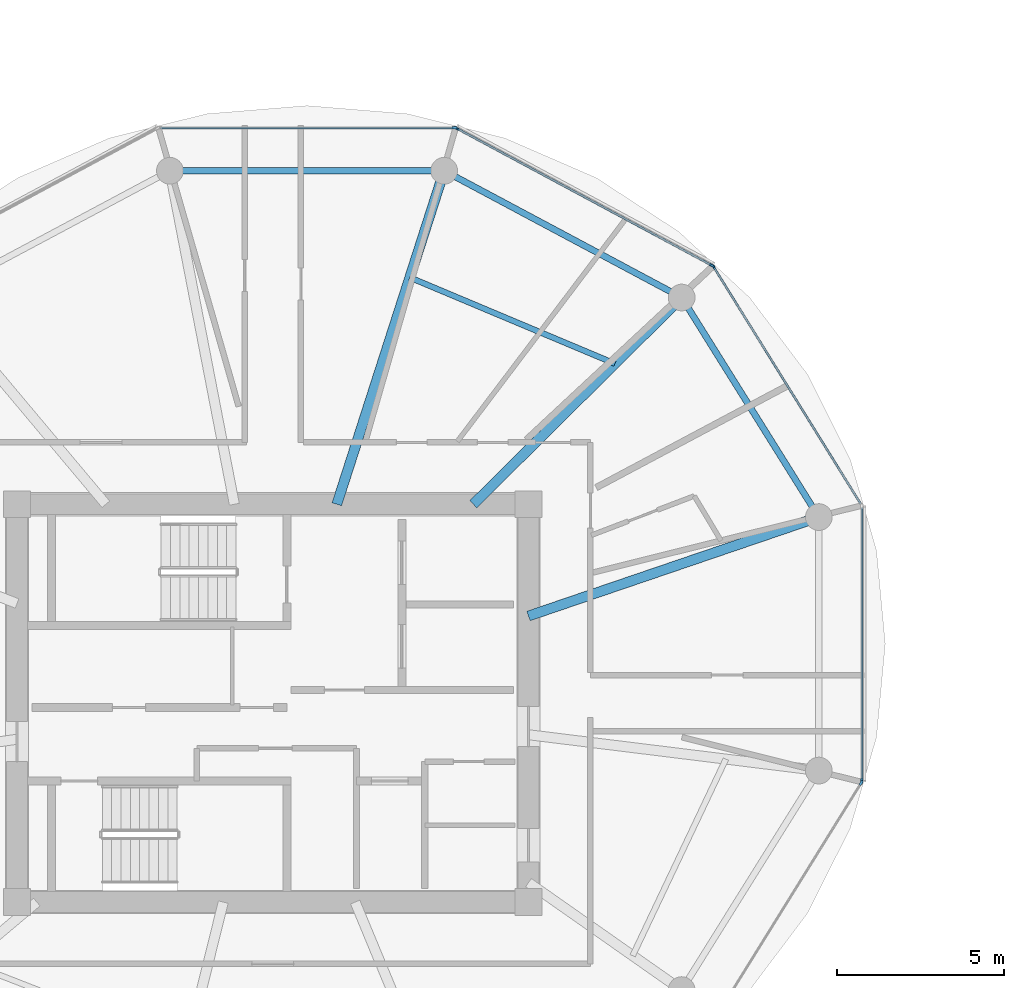
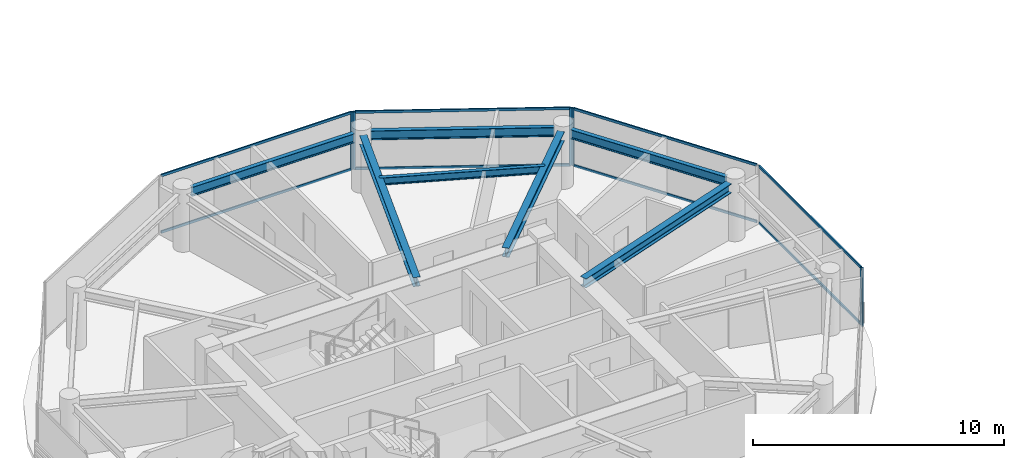
# One storey, part 5 of 22: 14 members, 7 beams, 5 elements without a shape of their own.
"""IFC4 building model written with IfcOpenShell, lengths in metres."""

import ifcopenshell
import ifcopenshell.guid

model = None  # the IFC model being written
_history = None  # IfcOwnerHistory: only IFC2X3 demands one
_inside = {}  # id of a spatial element -> (the spatial element, [elements in it])
_under = {}  # id of a project, library or spatial element -> (it, [spatial elements below it])
_declared = {}  # id of a project -> (the project, [libraries it declares])
_typed = {}  # id of a type object -> (the type object, [elements of that type])
_made_of = {}  # id of a material, layer set ... -> (it, [elements and type objects made of it])


def new_model(schema):
    """Start an empty IFC model of exactly this schema.

    Asked for "IFC4X3", IfcOpenShell would pick the latest addendum, in which some entities
    have other attributes; the version numbers below select the first issue.
    IFC2X3 requires an IfcOwnerHistory on every rooted entity: one is made here for all.
    """
    global model, _history
    if schema == "IFC4X3":
        model = ifcopenshell.file(schema_version=(4, 3, 0, 0))
    else:
        model = ifcopenshell.file(schema=schema)
    _inside.clear()
    _under.clear()
    _declared.clear()
    _typed.clear()
    _made_of.clear()
    _history = None
    if model.schema == "IFC2X3":
        org = make("IfcOrganization", Name="unknown")
        user = make(
            "IfcPersonAndOrganization",
            ThePerson=make("IfcPerson", FamilyName="unknown"),
            TheOrganization=org,
        )
        app = make(
            "IfcApplication",
            ApplicationDeveloper=org,
            Version="unknown",
            ApplicationFullName="unknown",
            ApplicationIdentifier="unknown",
        )
        _history = make(
            "IfcOwnerHistory",
            OwningUser=user,
            OwningApplication=app,
            ChangeAction="ADDED",
            CreationDate=0,
        )
    return model


def make(cls, **values):
    """One entity of the class cls with the attributes given. An attribute that is None is left unset."""
    return model.create_entity(
        cls, **{name: value for name, value in values.items() if value is not None}
    )


def rooted(cls, **values):
    """An entity with a GlobalId (a new one), such as an element, a storey or a relation."""
    return make(cls, GlobalId=ifcopenshell.guid.new(), OwnerHistory=_history, **values)


def si_unit(unit_type, name, prefix=None):
    """IfcSIUnit, for example si_unit("LENGTHUNIT", "METRE", prefix="MILLI")."""
    return make("IfcSIUnit", UnitType=unit_type, Prefix=prefix, Name=name)


def assignment(units):
    """IfcUnitAssignment: the units of a project."""
    return None if units is None else make("IfcUnitAssignment", Units=units)


def point(xyz):
    """IfcCartesianPoint."""
    return None if xyz is None else make("IfcCartesianPoint", Coordinates=xyz)


def direction(xyz):
    """IfcDirection."""
    return None if xyz is None else make("IfcDirection", DirectionRatios=xyz)


def frame(location, z_axis=None, x_axis=None):
    """IfcAxis2Placement3D, a coordinate frame: its origin and axes. An axis left out is left unset."""
    return make(
        "IfcAxis2Placement3D",
        Location=point(location),
        Axis=direction(z_axis),
        RefDirection=direction(x_axis),
    )


def frame_2d(location, x_axis=None):
    """IfcAxis2Placement2D, a coordinate frame in the plane: its origin and x axis."""
    return make(
        "IfcAxis2Placement2D", Location=point(location), RefDirection=direction(x_axis)
    )


def origin():
    """The frame at (0, 0, 0) with its axes left unset."""
    return frame((0.0, 0.0, 0.0))


def origin_2d():
    """The frame at (0, 0) in the plane with its x axis left unset."""
    return frame_2d((0.0, 0.0))


def place(relative_to, where):
    """IfcLocalPlacement: puts the frame where relative to a parent placement (None: the world)."""
    return make(
        "IfcLocalPlacement", PlacementRelTo=relative_to, RelativePlacement=where
    )


def context(
    kind, dimensions, precision=None, world=None, true_north=None, identifier=None
):
    """IfcGeometricRepresentationContext, for example the 3D "Model" context."""
    return make(
        "IfcGeometricRepresentationContext",
        ContextIdentifier=identifier,
        ContextType=kind,
        CoordinateSpaceDimension=dimensions,
        Precision=precision,
        WorldCoordinateSystem=world,
        TrueNorth=true_north,
    )


def subcontext(parent, identifier, kind, view, scale=None):
    """IfcGeometricRepresentationSubContext, for example "Body" below "Model"."""
    return make(
        "IfcGeometricRepresentationSubContext",
        ContextIdentifier=identifier,
        ContextType=kind,
        ParentContext=parent,
        TargetScale=scale,
        TargetView=view,
    )


def project(units=None, contexts=None):
    """IfcProject with its units and contexts."""
    return rooted(
        "IfcProject",
        Name="project",
        RepresentationContexts=contexts,
        UnitsInContext=assignment(units),
    )


def spatial(cls, under=None, at=None, **own):
    """A site, building, storey or space (cls), placed at a placement, below another one or the project."""
    s = rooted(cls, ObjectPlacement=at, **own)
    if under is not None:
        _under.setdefault(under.id(), (under, []))[1].append(s)
    return s


def profile(cls, at=None, kind="AREA", **sizes):
    """A parametric profile (cls). Its sizes go by their IFC names, for example OverallWidth=200.0."""
    return make(cls, ProfileType=kind, Position=at, **sizes)


def rectangle(**sizes):
    """IfcRectangleProfileDef."""
    return profile("IfcRectangleProfileDef", **sizes)


def i_section(**sizes):
    """IfcIShapeProfileDef."""
    return profile("IfcIShapeProfileDef", **sizes)


def extrude(swept, where, along, depth):
    """IfcExtrudedAreaSolid: the profile swept, set in the frame where, extruded along a direction by depth."""
    return make(
        "IfcExtrudedAreaSolid",
        SweptArea=swept,
        Position=where,
        ExtrudedDirection=direction(along),
        Depth=depth,
    )


def shape(context_of_items, identifier, shape_type, items):
    """IfcShapeRepresentation: the items that make up one representation, for example the "Body"."""
    return make(
        "IfcShapeRepresentation",
        ContextOfItems=context_of_items,
        RepresentationIdentifier=identifier,
        RepresentationType=shape_type,
        Items=items,
    )


def source(mapping_origin, context_of_items, identifier, shape_type, items):
    """IfcRepresentationMap: a shape defined once, which mapped items show again and again."""
    return make(
        "IfcRepresentationMap",
        MappingOrigin=mapping_origin,
        MappedRepresentation=shape(context_of_items, identifier, shape_type, items),
    )


def transform(
    local_origin,
    x_axis=None,
    y_axis=None,
    z_axis=None,
    scale=None,
    scale2=None,
    scale3=None,
    uniform=True,
):
    """IfcCartesianTransformationOperator3D, or its non-uniform kind. x_axis, y_axis, z_axis: its Axis1, 2, 3."""
    if uniform:
        return make(
            "IfcCartesianTransformationOperator3D",
            Axis1=direction(x_axis),
            Axis2=direction(y_axis),
            LocalOrigin=point(local_origin),
            Scale=scale,
            Axis3=direction(z_axis),
        )
    return make(
        "IfcCartesianTransformationOperator3DnonUniform",
        Axis1=direction(x_axis),
        Axis2=direction(y_axis),
        LocalOrigin=point(local_origin),
        Scale=scale,
        Axis3=direction(z_axis),
        Scale2=scale2,
        Scale3=scale3,
    )


def mapped(mapping_source, mapping_target):
    """IfcMappedItem: shows the shape of a source again, moved by a transform."""
    return make(
        "IfcMappedItem", MappingSource=mapping_source, MappingTarget=mapping_target
    )


def material(Name=None, Category=None):
    """IfcMaterial."""
    return make("IfcMaterial", Name=Name, Category=Category)


def layer(
    of_material, thickness, ventilated=None, Name=None, Category=None, Priority=None
):
    """IfcMaterialLayer: one layer of a wall or slab, of a material (None: an air gap)."""
    return make(
        "IfcMaterialLayer",
        Material=of_material,
        LayerThickness=thickness,
        IsVentilated=ventilated,
        Name=Name,
        Category=Category,
        Priority=Priority,
    )


def layer_set(layers, Name=None):
    """IfcMaterialLayerSet."""
    return make("IfcMaterialLayerSet", MaterialLayers=layers, LayerSetName=Name)


def material_profile(
    of_material, cross_section, Name=None, Category=None, Priority=None
):
    """IfcMaterialProfile: a cross section and its material."""
    return make(
        "IfcMaterialProfile",
        Name=Name,
        Material=of_material,
        Profile=cross_section,
        Priority=Priority,
        Category=Category,
    )


def profile_set(profiles, Name=None, composite=None):
    """IfcMaterialProfileSet."""
    return make(
        "IfcMaterialProfileSet",
        Name=Name,
        MaterialProfiles=profiles,
        CompositeProfile=composite,
    )


def made_of(thing, what):
    """Note that an element or type object is made of a material, layer set ...; save() writes the relation."""
    if what is not None:
        _made_of.setdefault(what.id(), (what, []))[1].append(thing)
    return thing


def type_object(cls, material=None, **own):
    """A type object (cls), such as IfcWallType, which elements share."""
    return made_of(rooted(cls, **own), material)


def type_shapes(of_type, sources):
    """Give a type object the sources (RepresentationMaps) that its elements show as mapped items."""
    of_type.RepresentationMaps = sources


def element(
    cls,
    number,
    at=None,
    inside=None,
    cuts=None,
    type_object=None,
    material=None,
    context=None,
    identifier="Body",
    shape_type=None,
    held_by="IfcProductDefinitionShape",
    body=None,
    shapes=None,
    **own,
):
    """One element of the class cls, such as IfcWall. Its Tag is "e" and its number.

    at: its placement. inside: the storey or other place that contains it. cuts: it is an
    opening in that element (IfcRelVoidsElement). A single representation is given by context,
    identifier, shape_type and body (its items); several are given by shapes. held_by: the class
    of the entity that holds the representations. save() writes the other relations.
    """
    e = rooted(cls, Tag="e%d" % number, ObjectPlacement=at, **own)
    if body is not None:
        shapes = [shape(context, identifier, shape_type, body)]
    if shapes is not None:
        e.Representation = make(held_by, Representations=shapes)
    if inside is not None:
        _inside.setdefault(inside.id(), (inside, []))[1].append(e)
    if cuts is not None:
        rooted(
            "IfcRelVoidsElement", RelatingBuildingElement=cuts, RelatedOpeningElement=e
        )
    if type_object is not None:
        _typed.setdefault(type_object.id(), (type_object, []))[1].append(e)
    return made_of(e, material)


def aggregate(whole, parts):
    """IfcRelAggregates: a whole, such as a stair, and the parts it consists of."""
    return rooted("IfcRelAggregates", RelatingObject=whole, RelatedObjects=parts)


def save(model, path):
    """Write the relations noted so far, then the file.

    IfcRelAggregates (storeys below a building ...), IfcRelContainedInSpatialStructure (elements
    in a storey), IfcRelDefinesByType, IfcRelAssociatesMaterial and IfcRelDeclares: one each for
    every whole, place, type object, material and project.
    """
    for whole, parts in _under.values():
        aggregate(whole, parts)
    for where, things in _inside.values():
        rooted(
            "IfcRelContainedInSpatialStructure",
            RelatedElements=things,
            RelatingStructure=where,
        )
    for kind, things in _typed.values():
        rooted("IfcRelDefinesByType", RelatedObjects=things, RelatingType=kind)
    for what, things in _made_of.values():
        rooted("IfcRelAssociatesMaterial", RelatedObjects=things, RelatingMaterial=what)
    for by, libraries in _declared.values():
        rooted("IfcRelDeclares", RelatingContext=by, RelatedDefinitions=libraries)
    model.write(path)


model = new_model("IFC4")

# Units and contexts
model_context = context("Model", 3, precision=1e-05, world=origin(), true_north=direction((0.0, 1.0)))
body_context = subcontext(model_context, "Body", "Model", "MODEL_VIEW")
ifc_project = project(units=[si_unit("LENGTHUNIT", "METRE"), si_unit("AREAUNIT", "SQUARE_METRE"), si_unit("VOLUMEUNIT", "CUBIC_METRE"), si_unit("PLANEANGLEUNIT", "RADIAN"), si_unit("MASSUNIT", "GRAM", prefix="KILO")], contexts=[model_context])

# Site, building, storey
site_placement = place(None, origin())
site = spatial("IfcSite", under=ifc_project, at=site_placement, CompositionType="ELEMENT")
building_placement = place(site_placement, origin())
building = spatial("IfcBuilding", under=site, at=building_placement, Name="Norrkilde Senior Care Towers", CompositionType="ELEMENT")
storey_placement = place(building_placement, frame((0.0, 0.0, 170.89990234375)))
storey = spatial("IfcBuildingStorey", under=building, at=storey_placement, Name="L53", CompositionType="ELEMENT", Elevation=170.89990234375)

# Beams
ifc_material_1 = material(Name="Steel S355", Category="steel")
ifc_material_profile_1 = material_profile(ifc_material_1, i_section(OverallWidth=0.18994140625, OverallDepth=0.449951171875, WebThickness=0.009521484375, FlangeThickness=0.0146484375, FilletRadius=0.02099609375, at=origin_2d()), Name="IPE 450")
ifc_profile_set_1 = profile_set([ifc_material_profile_1], Name="Steel S355")
beam_type_1 = type_object("IfcBeamType", Name="Perimeter Ring Spandrel Z3 IPE450", PredefinedType="SPANDREL", material=ifc_profile_set_1)
shared_shape_1 = source(origin(), body_context, "Body", "SweptSolid", [
    extrude(i_section(OverallWidth=0.18994140625, OverallDepth=0.449951171875, WebThickness=0.009521484375, FlangeThickness=0.0146484375, FilletRadius=0.02099609375, at=origin_2d()), origin(), (0.0, 0.0, 1.0), 7.0234375),
])
beam_1_placement = place(storey_placement, frame((-11.855712890625, 5.872314453125, 2.585205078125), z_axis=(-0.529789577822, 0.848129119433, 0.0), x_axis=(-0.848129119433, -0.529789577822, 0.0)))
element("IfcBeam", 1, at=beam_1_placement, inside=storey, type_object=beam_type_1, Name="L53 Drum W Perimeter Spandrel 01", PredefinedType="SPANDREL", context=body_context, shape_type="MappedRepresentation", body=[
    mapped(shared_shape_1, transform((0.0, 0.0, 0.0), x_axis=(1.0, 0.0, 0.0), y_axis=(0.0, 1.0, 0.0), z_axis=(0.0, 0.0, 1.0), scale=1.0)),
])
ifc_material_profile_2 = material_profile(ifc_material_1, i_section(OverallWidth=0.300048828125, OverallDepth=0.449951171875, WebThickness=0.013916015625, FlangeThickness=0.02587890625, FilletRadius=0.027099609375, at=origin_2d()), Name="HEB 450")
ifc_profile_set_2 = profile_set([ifc_material_profile_2], Name="Steel S355")
beam_type_2 = type_object("IfcBeamType", Name="Radial Floor Beam Z3 HEB450", PredefinedType="BEAM", material=ifc_profile_set_2)
shared_shape_2 = source(origin(), body_context, "Body", "SweptSolid", [
    extrude(i_section(OverallWidth=0.300048828125, OverallDepth=0.449951171875, WebThickness=0.013916015625, FlangeThickness=0.02587890625, FilletRadius=0.027099609375, at=origin_2d()), origin(), (0.0, 0.0, 1.0), 8.8154296875),
])
beam_2_placement = place(storey_placement, frame((-20.35009765625, 2.607177734375, 2.585205078125), z_axis=(0.946540556878, 0.322584832539, 0.0), x_axis=(-0.322584832539, 0.946540556878, 0.0)))
element("IfcBeam", 2, at=beam_2_placement, inside=storey, type_object=beam_type_2, Name="L53 Drum W Radial Floor Beam 01", PredefinedType="BEAM", context=body_context, shape_type="MappedRepresentation", body=[
    mapped(shared_shape_2, transform((0.0, 0.0, 0.0), x_axis=(1.0, 0.0, 0.0), y_axis=(0.0, 1.0, 0.0), z_axis=(0.0, 0.0, 1.0), scale=1.0)),
])
shared_shape_3 = source(origin(), body_context, "Body", "SweptSolid", [
    extrude(i_section(OverallWidth=0.18994140625, OverallDepth=0.449951171875, WebThickness=0.009521484375, FlangeThickness=0.0146484375, FilletRadius=0.02099609375, at=origin_2d()), origin(), (0.0, 0.0, 1.0), 7.333740234375),
])
beam_3_placement = place(storey_placement, frame((-16.0849609375, 12.303955078125, 2.585205078125), z_axis=(-0.882247866069, 0.470785198172, 0.0), x_axis=(-0.470785198172, -0.882247866069, 0.0)))
element("IfcBeam", 3, at=beam_3_placement, inside=storey, type_object=beam_type_1, Name="L53 Drum W Perimeter Spandrel 02", PredefinedType="SPANDREL", context=body_context, shape_type="MappedRepresentation", body=[
    mapped(shared_shape_3, transform((0.0, 0.0, 0.0), x_axis=(1.0, 0.0, 0.0), y_axis=(0.0, 1.0, 0.0), z_axis=(0.0, 0.0, 1.0), scale=1.0)),
])
shared_shape_4 = source(origin(), body_context, "Body", "SweptSolid", [
    extrude(i_section(OverallWidth=0.300048828125, OverallDepth=0.449951171875, WebThickness=0.013916015625, FlangeThickness=0.02587890625, FilletRadius=0.027099609375, at=origin_2d()), origin(), (0.0, 0.0, 1.0), 8.421630859375),
])
beam_4_placement = place(storey_placement, frame((-22.001953125, 5.949951171875, 2.585205078125), z_axis=(0.709956495972, 0.704245535184, 0.0), x_axis=(-0.704245535184, 0.709956495972, 0.0)))
element("IfcBeam", 4, at=beam_4_placement, inside=storey, type_object=beam_type_2, Name="L53 Drum W Radial Floor Beam 02", PredefinedType="BEAM", context=body_context, shape_type="MappedRepresentation", body=[
    mapped(shared_shape_4, transform((0.0, 0.0, 0.0), x_axis=(1.0, 0.0, 0.0), y_axis=(0.0, 1.0, 0.0), z_axis=(0.0, 0.0, 1.0), scale=1.0)),
])
shared_shape_5 = source(origin(), body_context, "Body", "SweptSolid", [
    extrude(i_section(OverallWidth=0.18994140625, OverallDepth=0.449951171875, WebThickness=0.009521484375, FlangeThickness=0.0146484375, FilletRadius=0.02099609375, at=origin_2d()), origin(), (0.0, 0.0, 1.0), 7.484619140625),
])
type_shapes(beam_type_1, [shared_shape_1, shared_shape_3, shared_shape_5])
beam_5_placement = place(storey_placement, frame((-23.232666015625, 15.92626953125, 2.585205078125), z_axis=(-1.0, 0.0, 0.0), x_axis=(0.0, -1.0, 0.0)))
element("IfcBeam", 5, at=beam_5_placement, inside=storey, type_object=beam_type_1, Name="L53 Drum W Perimeter Spandrel 03", PredefinedType="SPANDREL", context=body_context, shape_type="MappedRepresentation", body=[
    mapped(shared_shape_5, transform((0.0, 0.0, 0.0), x_axis=(1.0, 0.0, 0.0), y_axis=(0.0, 1.0, 0.0), z_axis=(0.0, 0.0, 1.0), scale=1.0)),
])
shared_shape_6 = source(origin(), body_context, "Body", "SweptSolid", [
    extrude(i_section(OverallWidth=0.300048828125, OverallDepth=0.449951171875, WebThickness=0.013916015625, FlangeThickness=0.02587890625, FilletRadius=0.027099609375, at=origin_2d()), origin(), (0.0, 0.0, 1.0), 10.120361328125),
])
type_shapes(beam_type_2, [shared_shape_2, shared_shape_4, shared_shape_6])
beam_6_placement = place(storey_placement, frame((-26.08447265625, 5.949951171875, 2.585205078125), z_axis=(0.306440973744, 0.951889662519, 0.0), x_axis=(-0.951889662519, 0.306440973744, 0.0)))
element("IfcBeam", 6, at=beam_6_placement, inside=storey, type_object=beam_type_2, Name="L53 Drum W Radial Floor Beam 03", PredefinedType="BEAM", context=body_context, shape_type="MappedRepresentation", body=[
    mapped(shared_shape_6, transform((0.0, 0.0, 0.0), x_axis=(1.0, 0.0, 0.0), y_axis=(0.0, 1.0, 0.0), z_axis=(0.0, 0.0, 1.0), scale=1.0)),
])
ifc_material_profile_3 = material_profile(ifc_material_1, i_section(OverallWidth=0.169921875, OverallDepth=0.360107421875, WebThickness=0.008056640625, FlangeThickness=0.0126953125, FilletRadius=0.01806640625, at=origin_2d()), Name="IPE 360")
ifc_profile_set_3 = profile_set([ifc_material_profile_3], Name="Steel S355")
beam_type_3 = type_object("IfcBeamType", Name="Secondary Floor Joist IPE360", PredefinedType="JOIST", material=ifc_profile_set_3)
shared_shape_7 = source(origin(), body_context, "Body", "SweptSolid", [
    extrude(i_section(OverallWidth=0.169921875, OverallDepth=0.360107421875, WebThickness=0.008056640625, FlangeThickness=0.0126953125, FilletRadius=0.01806640625, at=origin_2d()), origin(), (0.0, 0.0, 1.0), 6.657470703125),
])
type_shapes(beam_type_3, [shared_shape_7])
beam_7_placement = place(storey_placement, frame((-17.762451171875, 10.155517578125, 2.630126953125), z_axis=(-0.921958799252, 0.387287971, 0.0), x_axis=(-0.387287971, -0.921958799252, 0.0)))
element("IfcBeam", 7, at=beam_7_placement, inside=storey, type_object=beam_type_3, Name="L53 Drum W Secondary Floor Joist 1", PredefinedType="JOIST", context=body_context, shape_type="MappedRepresentation", body=[
    mapped(shared_shape_7, transform((0.0, 0.0, 0.0), x_axis=(1.0, 0.0, 0.0), y_axis=(0.0, 1.0, 0.0), z_axis=(0.0, 0.0, 1.0), scale=1.0)),
])

# Curtain wall, member
ifc_material_2 = material(Name="Triple Low-E Insulated Glazing", Category="glass")
ifc_layer = layer(ifc_material_2, 0.18994140625)
ifc_layer_set = layer_set([ifc_layer], Name="Triple Low-E Insulated Glazing")
curtain_wall_type = type_object("IfcCurtainWallType", Name="CW4 Zone 3 Senior Residence Curtain Wall", PredefinedType="NOTDEFINED", material=ifc_layer_set)
curtain_wall_1_placement = place(storey_placement, origin())
curtain_wall_1 = element("IfcCurtainWall", 8, at=curtain_wall_1_placement, inside=storey, type_object=curtain_wall_type, Name="L53 Drum W Curtain Wall 00", PredefinedType="NOTDEFINED")
ifc_material_3 = material(Name="Anodised Aluminium", Category="aluminium")
ifc_material_profile_4 = material_profile(ifc_material_3, rectangle(XDim=0.06494140625, YDim=0.14990234375, at=origin_2d()), Name="ALU MULL 65x150")
ifc_profile_set_4 = profile_set([ifc_material_profile_4], Name="Anodised Aluminium")
member_type_1 = type_object("IfcMemberType", Name="Curtain Wall Mullion Z3-Z4 65x150", PredefinedType="MULLION", material=ifc_profile_set_4)
shared_shape_8 = source(origin(), body_context, "Body", "SweptSolid", [
    extrude(rectangle(XDim=0.06494140625, YDim=0.14990234375, at=origin_2d()), origin(), (0.0, 0.0, 1.0), 2.81005859375),
])
type_shapes(member_type_1, [shared_shape_8])
member_1_placement = place(storey_placement, frame((-14.809814453125, 13.04736328125, 0.0), z_axis=(0.0, 0.0, 1.0), x_axis=(0.84963405474, 0.52737270789, 0.0)))
member_1 = element("IfcMember", 9, at=member_1_placement, type_object=member_type_1, Name="CW-4 mullion 1", PredefinedType="MULLION", context=body_context, shape_type="MappedRepresentation", body=[
    mapped(shared_shape_8, transform((0.0, 0.0, 0.0), x_axis=(1.0, 0.0, 0.0), y_axis=(0.0, 1.0, 0.0), z_axis=(0.0, 0.0, 1.0), scale=1.0)),
])

# Curtain wall, members
curtain_wall_2_placement = place(storey_placement, origin())
curtain_wall_2 = element("IfcCurtainWall", 10, at=curtain_wall_2_placement, inside=storey, type_object=curtain_wall_type, Name="L53 Drum W Curtain Wall 01", PredefinedType="NOTDEFINED")
member_2_placement = place(storey_placement, frame((-22.499755859375, 17.195556640625, 0.0), z_axis=(0.0, 0.0, 1.0), x_axis=(0.47311715104, 0.880999524059, 0.0)))
member_2 = element("IfcMember", 11, at=member_2_placement, type_object=member_type_1, Name="CW-4 mullion 1", PredefinedType="MULLION", context=body_context, shape_type="MappedRepresentation", body=[
    mapped(shared_shape_8, transform((0.0, 0.0, 0.0), x_axis=(1.0, 0.0, 0.0), y_axis=(0.0, 1.0, 0.0), z_axis=(0.0, 0.0, 1.0), scale=1.0)),
])
member_3_placement = place(storey_placement, frame((-14.85546875, 13.09033203125, 0.0), z_axis=(0.0, 0.0, 1.0), x_axis=(0.47311715104, 0.880999524059, 0.0)))
member_3 = element("IfcMember", 12, at=member_3_placement, type_object=member_type_1, Name="CW-4 mullion 2", PredefinedType="MULLION", context=body_context, shape_type="MappedRepresentation", body=[
    mapped(shared_shape_8, transform((0.0, 0.0, 0.0), x_axis=(1.0, 0.0, 0.0), y_axis=(0.0, 1.0, 0.0), z_axis=(0.0, 0.0, 1.0), scale=1.0)),
])

# Curtain wall, member
curtain_wall_3_placement = place(storey_placement, origin())
curtain_wall_3 = element("IfcCurtainWall", 13, at=curtain_wall_3_placement, inside=storey, type_object=curtain_wall_type, Name="L53 Drum W Curtain Wall 02", PredefinedType="NOTDEFINED")
member_4_placement = place(storey_placement, frame((-22.56103515625, 17.2109375, 0.0), z_axis=(0.0, 0.0, 1.0), x_axis=(0.0, 1.0, 0.0)))
member_4 = element("IfcMember", 14, at=member_4_placement, type_object=member_type_1, Name="CW-4 mullion 2", PredefinedType="MULLION", context=body_context, shape_type="MappedRepresentation", body=[
    mapped(shared_shape_8, transform((0.0, 0.0, 0.0), x_axis=(1.0, 0.0, 0.0), y_axis=(0.0, 1.0, 0.0), z_axis=(0.0, 0.0, 1.0), scale=1.0)),
])

curtain_wall_4_placement = place(storey_placement, origin())
curtain_wall_4 = element("IfcCurtainWall", 15, at=curtain_wall_4_placement, inside=storey, type_object=curtain_wall_type, Name="L53 Drum W Curtain Wall 10", PredefinedType="NOTDEFINED")
member_5_placement = place(storey_placement, frame((-10.3974609375, -2.38818359375, 0.0), z_axis=(0.0, 0.0, 1.0), x_axis=(0.84963405474, -0.52737270789, 0.0)))
member_5 = element("IfcMember", 16, at=member_5_placement, type_object=member_type_1, Name="CW-4 mullion 1", PredefinedType="MULLION", context=body_context, shape_type="MappedRepresentation", body=[
    mapped(shared_shape_8, transform((0.0, 0.0, 0.0), x_axis=(1.0, 0.0, 0.0), y_axis=(0.0, 1.0, 0.0), z_axis=(0.0, 0.0, 1.0), scale=1.0)),
])
aggregate(curtain_wall_4, [member_5])

curtain_wall_5_placement = place(storey_placement, origin())
curtain_wall_5 = element("IfcCurtainWall", 17, at=curtain_wall_5_placement, inside=storey, type_object=curtain_wall_type, Name="L53 Drum W Curtain Wall 11", PredefinedType="NOTDEFINED")
member_6_placement = place(storey_placement, frame((-10.38037109375, -2.328125, 0.0), z_axis=(0.0, 0.0, 1.0), x_axis=(1.0, 0.0, 0.0)))
member_6 = element("IfcMember", 18, at=member_6_placement, type_object=member_type_1, Name="CW-4 mullion 2", PredefinedType="MULLION", context=body_context, shape_type="MappedRepresentation", body=[
    mapped(shared_shape_8, transform((0.0, 0.0, 0.0), x_axis=(1.0, 0.0, 0.0), y_axis=(0.0, 1.0, 0.0), z_axis=(0.0, 0.0, 1.0), scale=1.0)),
])

# Member
ifc_material_profile_5 = material_profile(ifc_material_3, rectangle(XDim=0.06005859375, YDim=0.1201171875, at=origin_2d()), Name="ALU TRAN 60x120")
ifc_profile_set_5 = profile_set([ifc_material_profile_5], Name="Anodised Aluminium")
member_type_2 = type_object("IfcMemberType", Name="Curtain Wall Transom Typical 60x120", PredefinedType="USERDEFINED", material=ifc_profile_set_5)
shared_shape_9 = source(origin(), body_context, "Body", "SweptSolid", [
    extrude(rectangle(XDim=0.06005859375, YDim=0.1201171875, at=origin_2d()), origin(), (0.0, 0.0, 1.0), 8.301513671875),
])
member_7_placement = place(storey_placement, frame((-14.792724609375, 13.019775390625, 0.030029296875), z_axis=(0.527368718394, -0.849636531029, 0.0), x_axis=(0.849636531029, 0.527368718394, 0.0)))
member_7 = element("IfcMember", 19, at=member_7_placement, type_object=member_type_2, Name="CW-4 transom 1.1", ObjectType="TRANSOM", PredefinedType="USERDEFINED", context=body_context, shape_type="MappedRepresentation", body=[
    mapped(shared_shape_9, transform((0.0, 0.0, 0.0), x_axis=(1.0, 0.0, 0.0), y_axis=(0.0, 1.0, 0.0), z_axis=(0.0, 0.0, 1.0), scale=1.0)),
])

member_8_placement = place(storey_placement, frame((-14.792724609375, 13.019775390625, 2.780029296875), z_axis=(0.527368718394, -0.849636531029, 0.0), x_axis=(0.849636531029, 0.527368718394, 0.0)))
member_8 = element("IfcMember", 20, at=member_8_placement, type_object=member_type_2, Name="CW-4 transom 1.2", ObjectType="TRANSOM", PredefinedType="USERDEFINED", context=body_context, shape_type="MappedRepresentation", body=[
    mapped(shared_shape_9, transform((0.0, 0.0, 0.0), x_axis=(1.0, 0.0, 0.0), y_axis=(0.0, 1.0, 0.0), z_axis=(0.0, 0.0, 1.0), scale=1.0)),
])

aggregate(curtain_wall_1, [member_1, member_7, member_8])

shared_shape_10 = source(origin(), body_context, "Body", "SweptSolid", [
    extrude(rectangle(XDim=0.06005859375, YDim=0.1201171875, at=origin_2d()), origin(), (0.0, 0.0, 1.0), 8.61181640625),
])
member_9_placement = place(storey_placement, frame((-22.47119140625, 17.18017578125, 0.030029296875), z_axis=(0.880993991641, -0.473127452906, 0.0), x_axis=(0.473127452906, 0.880993991641, 0.0)))
member_9 = element("IfcMember", 21, at=member_9_placement, type_object=member_type_2, Name="CW-4 transom 1.1", ObjectType="TRANSOM", PredefinedType="USERDEFINED", context=body_context, shape_type="MappedRepresentation", body=[
    mapped(shared_shape_10, transform((0.0, 0.0, 0.0), x_axis=(1.0, 0.0, 0.0), y_axis=(0.0, 1.0, 0.0), z_axis=(0.0, 0.0, 1.0), scale=1.0)),
])

member_10_placement = place(storey_placement, frame((-22.47119140625, 17.18017578125, 2.780029296875), z_axis=(0.880993991641, -0.473127452906, 0.0), x_axis=(0.473127452906, 0.880993991641, 0.0)))
member_10 = element("IfcMember", 22, at=member_10_placement, type_object=member_type_2, Name="CW-4 transom 1.2", ObjectType="TRANSOM", PredefinedType="USERDEFINED", context=body_context, shape_type="MappedRepresentation", body=[
    mapped(shared_shape_10, transform((0.0, 0.0, 0.0), x_axis=(1.0, 0.0, 0.0), y_axis=(0.0, 1.0, 0.0), z_axis=(0.0, 0.0, 1.0), scale=1.0)),
])

aggregate(curtain_wall_2, [member_2, member_3, member_9, member_10])

shared_shape_11 = source(origin(), body_context, "Body", "SweptSolid", [
    extrude(rectangle(XDim=0.06005859375, YDim=0.1201171875, at=origin_2d()), origin(), (0.0, 0.0, 1.0), 8.762939453125),
])
member_11_placement = place(storey_placement, frame((-31.3564453125, 17.2109375, 0.030029296875), z_axis=(1.0, 0.0, 0.0), x_axis=(0.0, 1.0, 0.0)))
member_11 = element("IfcMember", 23, at=member_11_placement, type_object=member_type_2, Name="CW-4 transom 1.1", ObjectType="TRANSOM", PredefinedType="USERDEFINED", context=body_context, shape_type="MappedRepresentation", body=[
    mapped(shared_shape_11, transform((0.0, 0.0, 0.0), x_axis=(1.0, 0.0, 0.0), y_axis=(0.0, 1.0, 0.0), z_axis=(0.0, 0.0, 1.0), scale=1.0)),
])

member_12_placement = place(storey_placement, frame((-31.3564453125, 17.2109375, 2.780029296875), z_axis=(1.0, 0.0, 0.0), x_axis=(0.0, 1.0, 0.0)))
member_12 = element("IfcMember", 24, at=member_12_placement, type_object=member_type_2, Name="CW-4 transom 1.2", ObjectType="TRANSOM", PredefinedType="USERDEFINED", context=body_context, shape_type="MappedRepresentation", body=[
    mapped(shared_shape_11, transform((0.0, 0.0, 0.0), x_axis=(1.0, 0.0, 0.0), y_axis=(0.0, 1.0, 0.0), z_axis=(0.0, 0.0, 1.0), scale=1.0)),
])

aggregate(curtain_wall_3, [member_4, member_11, member_12])

shared_shape_12 = source(origin(), body_context, "Body", "SweptSolid", [
    extrude(rectangle(XDim=0.06005859375, YDim=0.1201171875, at=origin_2d()), origin(), (0.0, 0.0, 1.0), 8.141845703125),
])
type_shapes(member_type_2, [shared_shape_9, shared_shape_10, shared_shape_11, shared_shape_12])
member_13_placement = place(storey_placement, frame((-10.38037109375, 5.84619140625, 0.030029296875), z_axis=(0.0, -1.0, 0.0), x_axis=(1.0, 0.0, 0.0)))
member_13 = element("IfcMember", 25, at=member_13_placement, type_object=member_type_2, Name="CW-4 transom 1.1", ObjectType="TRANSOM", PredefinedType="USERDEFINED", context=body_context, shape_type="MappedRepresentation", body=[
    mapped(shared_shape_12, transform((0.0, 0.0, 0.0), x_axis=(1.0, 0.0, 0.0), y_axis=(0.0, 1.0, 0.0), z_axis=(0.0, 0.0, 1.0), scale=1.0)),
])

member_14_placement = place(storey_placement, frame((-10.38037109375, 5.84619140625, 2.780029296875), z_axis=(0.0, -1.0, 0.0), x_axis=(1.0, 0.0, 0.0)))
member_14 = element("IfcMember", 26, at=member_14_placement, type_object=member_type_2, Name="CW-4 transom 1.2", ObjectType="TRANSOM", PredefinedType="USERDEFINED", context=body_context, shape_type="MappedRepresentation", body=[
    mapped(shared_shape_12, transform((0.0, 0.0, 0.0), x_axis=(1.0, 0.0, 0.0), y_axis=(0.0, 1.0, 0.0), z_axis=(0.0, 0.0, 1.0), scale=1.0)),
])

aggregate(curtain_wall_5, [member_6, member_13, member_14])

save(model, "model.ifc")
